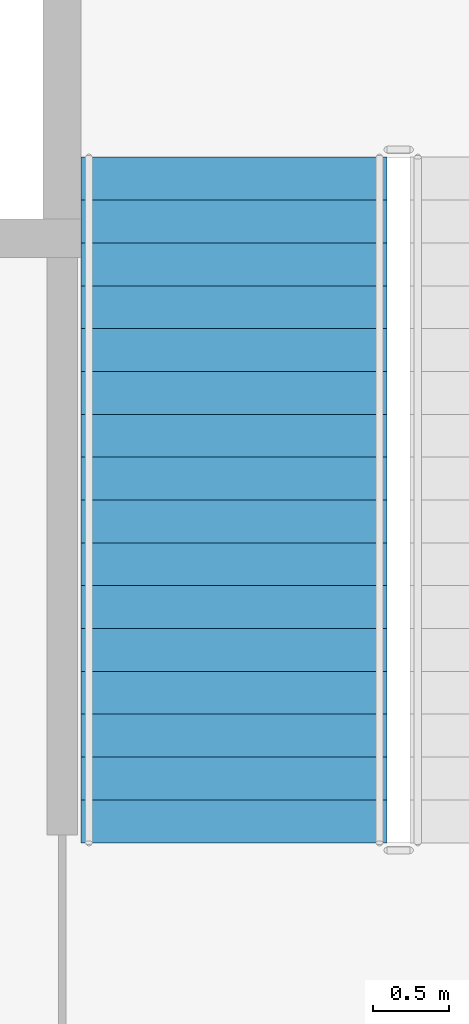
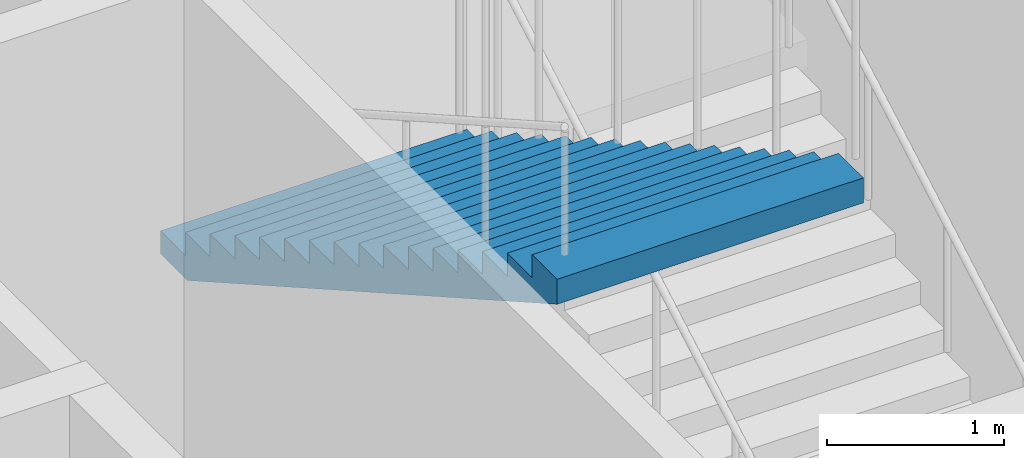
# One storey, part 14 of 27: 1 stair flight, 1 element without a shape of its own.
"""IFC4 building model written with IfcOpenShell, lengths in metres."""

import ifcopenshell
import ifcopenshell.guid

model = None  # the IFC model being written
_history = None  # IfcOwnerHistory: only IFC2X3 demands one
_inside = {}  # id of a spatial element -> (the spatial element, [elements in it])
_under = {}  # id of a project, library or spatial element -> (it, [spatial elements below it])
_declared = {}  # id of a project -> (the project, [libraries it declares])
_typed = {}  # id of a type object -> (the type object, [elements of that type])
_made_of = {}  # id of a material, layer set ... -> (it, [elements and type objects made of it])


def new_model(schema):
    """Start an empty IFC model of exactly this schema.

    Asked for "IFC4X3", IfcOpenShell would pick the latest addendum, in which some entities
    have other attributes; the version numbers below select the first issue.
    IFC2X3 requires an IfcOwnerHistory on every rooted entity: one is made here for all.
    """
    global model, _history
    if schema == "IFC4X3":
        model = ifcopenshell.file(schema_version=(4, 3, 0, 0))
    else:
        model = ifcopenshell.file(schema=schema)
    _inside.clear()
    _under.clear()
    _declared.clear()
    _typed.clear()
    _made_of.clear()
    _history = None
    if model.schema == "IFC2X3":
        org = make("IfcOrganization", Name="unknown")
        user = make(
            "IfcPersonAndOrganization",
            ThePerson=make("IfcPerson", FamilyName="unknown"),
            TheOrganization=org,
        )
        app = make(
            "IfcApplication",
            ApplicationDeveloper=org,
            Version="unknown",
            ApplicationFullName="unknown",
            ApplicationIdentifier="unknown",
        )
        _history = make(
            "IfcOwnerHistory",
            OwningUser=user,
            OwningApplication=app,
            ChangeAction="ADDED",
            CreationDate=0,
        )
    return model


def make(cls, **values):
    """One entity of the class cls with the attributes given. An attribute that is None is left unset."""
    return model.create_entity(
        cls, **{name: value for name, value in values.items() if value is not None}
    )


def rooted(cls, **values):
    """An entity with a GlobalId (a new one), such as an element, a storey or a relation."""
    return make(cls, GlobalId=ifcopenshell.guid.new(), OwnerHistory=_history, **values)


def si_unit(unit_type, name, prefix=None):
    """IfcSIUnit, for example si_unit("LENGTHUNIT", "METRE", prefix="MILLI")."""
    return make("IfcSIUnit", UnitType=unit_type, Prefix=prefix, Name=name)


def assignment(units):
    """IfcUnitAssignment: the units of a project."""
    return None if units is None else make("IfcUnitAssignment", Units=units)


def point(xyz):
    """IfcCartesianPoint."""
    return None if xyz is None else make("IfcCartesianPoint", Coordinates=xyz)


def direction(xyz):
    """IfcDirection."""
    return None if xyz is None else make("IfcDirection", DirectionRatios=xyz)


def frame(location, z_axis=None, x_axis=None):
    """IfcAxis2Placement3D, a coordinate frame: its origin and axes. An axis left out is left unset."""
    return make(
        "IfcAxis2Placement3D",
        Location=point(location),
        Axis=direction(z_axis),
        RefDirection=direction(x_axis),
    )


def origin():
    """The frame at (0, 0, 0) with its axes left unset."""
    return frame((0.0, 0.0, 0.0))


def place(relative_to, where):
    """IfcLocalPlacement: puts the frame where relative to a parent placement (None: the world)."""
    return make(
        "IfcLocalPlacement", PlacementRelTo=relative_to, RelativePlacement=where
    )


def context(
    kind, dimensions, precision=None, world=None, true_north=None, identifier=None
):
    """IfcGeometricRepresentationContext, for example the 3D "Model" context."""
    return make(
        "IfcGeometricRepresentationContext",
        ContextIdentifier=identifier,
        ContextType=kind,
        CoordinateSpaceDimension=dimensions,
        Precision=precision,
        WorldCoordinateSystem=world,
        TrueNorth=true_north,
    )


def subcontext(parent, identifier, kind, view, scale=None):
    """IfcGeometricRepresentationSubContext, for example "Body" below "Model"."""
    return make(
        "IfcGeometricRepresentationSubContext",
        ContextIdentifier=identifier,
        ContextType=kind,
        ParentContext=parent,
        TargetScale=scale,
        TargetView=view,
    )


def project(units=None, contexts=None):
    """IfcProject with its units and contexts."""
    return rooted(
        "IfcProject",
        Name="project",
        RepresentationContexts=contexts,
        UnitsInContext=assignment(units),
    )


def spatial(cls, under=None, at=None, **own):
    """A site, building, storey or space (cls), placed at a placement, below another one or the project."""
    s = rooted(cls, ObjectPlacement=at, **own)
    if under is not None:
        _under.setdefault(under.id(), (under, []))[1].append(s)
    return s


def point_list(points):
    """IfcCartesianPointList2D or 3D."""
    cls = (
        "IfcCartesianPointList2D" if len(points[0]) == 2 else "IfcCartesianPointList3D"
    )
    return make(cls, CoordList=points)


def polygons(points, faces, closed=None, point_numbers=None):
    """IfcPolygonalFaceSet: a face is its outer loop, then its inner loops; points numbered from 1."""
    made = []
    for loops in faces:
        if len(loops) == 1:
            made.append(make("IfcIndexedPolygonalFace", CoordIndex=loops[0]))
        else:
            made.append(
                make(
                    "IfcIndexedPolygonalFaceWithVoids",
                    CoordIndex=loops[0],
                    InnerCoordIndices=loops[1:],
                )
            )
    return make(
        "IfcPolygonalFaceSet",
        Coordinates=point_list(points),
        Closed=closed,
        Faces=made,
        PnIndex=point_numbers,
    )


def shape(context_of_items, identifier, shape_type, items):
    """IfcShapeRepresentation: the items that make up one representation, for example the "Body"."""
    return make(
        "IfcShapeRepresentation",
        ContextOfItems=context_of_items,
        RepresentationIdentifier=identifier,
        RepresentationType=shape_type,
        Items=items,
    )


def material(Name=None, Category=None):
    """IfcMaterial."""
    return make("IfcMaterial", Name=Name, Category=Category)


def made_of(thing, what):
    """Note that an element or type object is made of a material, layer set ...; save() writes the relation."""
    if what is not None:
        _made_of.setdefault(what.id(), (what, []))[1].append(thing)
    return thing


def type_object(cls, material=None, **own):
    """A type object (cls), such as IfcWallType, which elements share."""
    return made_of(rooted(cls, **own), material)


def element(
    cls,
    number,
    at=None,
    inside=None,
    cuts=None,
    type_object=None,
    material=None,
    context=None,
    identifier="Body",
    shape_type=None,
    held_by="IfcProductDefinitionShape",
    body=None,
    shapes=None,
    **own,
):
    """One element of the class cls, such as IfcWall. Its Tag is "e" and its number.

    at: its placement. inside: the storey or other place that contains it. cuts: it is an
    opening in that element (IfcRelVoidsElement). A single representation is given by context,
    identifier, shape_type and body (its items); several are given by shapes. held_by: the class
    of the entity that holds the representations. save() writes the other relations.
    """
    e = rooted(cls, Tag="e%d" % number, ObjectPlacement=at, **own)
    if body is not None:
        shapes = [shape(context, identifier, shape_type, body)]
    if shapes is not None:
        e.Representation = make(held_by, Representations=shapes)
    if inside is not None:
        _inside.setdefault(inside.id(), (inside, []))[1].append(e)
    if cuts is not None:
        rooted(
            "IfcRelVoidsElement", RelatingBuildingElement=cuts, RelatedOpeningElement=e
        )
    if type_object is not None:
        _typed.setdefault(type_object.id(), (type_object, []))[1].append(e)
    return made_of(e, material)


def aggregate(whole, parts):
    """IfcRelAggregates: a whole, such as a stair, and the parts it consists of."""
    return rooted("IfcRelAggregates", RelatingObject=whole, RelatedObjects=parts)


def save(model, path):
    """Write the relations noted so far, then the file.

    IfcRelAggregates (storeys below a building ...), IfcRelContainedInSpatialStructure (elements
    in a storey), IfcRelDefinesByType, IfcRelAssociatesMaterial and IfcRelDeclares: one each for
    every whole, place, type object, material and project.
    """
    for whole, parts in _under.values():
        aggregate(whole, parts)
    for where, things in _inside.values():
        rooted(
            "IfcRelContainedInSpatialStructure",
            RelatedElements=things,
            RelatingStructure=where,
        )
    for kind, things in _typed.values():
        rooted("IfcRelDefinesByType", RelatedObjects=things, RelatingType=kind)
    for what, things in _made_of.values():
        rooted("IfcRelAssociatesMaterial", RelatedObjects=things, RelatingMaterial=what)
    for by, libraries in _declared.values():
        rooted("IfcRelDeclares", RelatingContext=by, RelatedDefinitions=libraries)
    model.write(path)


model = new_model("IFC4")

# Units and contexts
model_context = context("Model", 3, precision=1e-05, world=origin(), true_north=direction((0.0, 1.0)))
body_context = subcontext(model_context, "Body", "Model", "MODEL_VIEW")
ifc_project = project(units=[si_unit("LENGTHUNIT", "METRE"), si_unit("AREAUNIT", "SQUARE_METRE"), si_unit("VOLUMEUNIT", "CUBIC_METRE"), si_unit("PLANEANGLEUNIT", "RADIAN"), si_unit("MASSUNIT", "GRAM", prefix="KILO")], contexts=[model_context])

# Site, building, storey
site_placement = place(None, origin())
site = spatial("IfcSite", under=ifc_project, at=site_placement, CompositionType="ELEMENT")
building_placement = place(site_placement, origin())
building = spatial("IfcBuilding", under=site, at=building_placement, Name="Caravel Reach Hotel and Residences", CompositionType="ELEMENT")
storey_placement = place(building_placement, frame((0.0, 0.0, 6.60009765625)))
storey = spatial("IfcBuildingStorey", under=building, at=storey_placement, Name="L01", CompositionType="ELEMENT", Elevation=6.60009765625)

# Stair, stair flight
ifc_material_1 = material(Name="Concrete C40", Category="concrete")
stair_type = type_object("IfcStairType", Name="Core stair", PredefinedType="HALF_TURN_STAIR", material=ifc_material_1)
stair_placement = place(storey_placement, origin())
stair = element("IfcStair", 1, at=stair_placement, inside=storey, type_object=stair_type, Name="L01 Exit stair B", PredefinedType="HALF_TURN_STAIR")
ifc_material_2 = material(Name="Concrete C40", Category="concrete")
stair_flight_type = type_object("IfcStairFlightType", Name="Core stair flight", PredefinedType="STRAIGHT", material=ifc_material_2)
stair_flight_placement = place(storey_placement, frame((41.625, 29.1298828125, 2.699951171875), z_axis=(0.0, 0.0, 1.0), x_axis=(0.0, -1.0, 0.0)))
stair_flight = element("IfcStairFlight", 2, at=stair_flight_placement, type_object=stair_flight_type, Name="ST-B flight 2", NumberOfRisers=17, NumberOfTreads=16, PredefinedType="STRAIGHT", RiserHeight=0.158823529, TreadLength=0.28, context=body_context, shape_type="Tessellation", body=[
    polygons([(0.30382651472380307, 1.0, 0.0), (0.30382651472380307, 0.6666666666666667, 0.0), (0.30382651472380307, 0.33333333333333337, 0.0), (0.30382651472380307, 0.0, 0.0), (0.30382651472380307, -0.33333333333333326, 0.0), (0.30382651472380307, -0.6666666666666667, 0.0), (0.30382651472380307, -1.0, 0.0), (4.481000000000001, 1.0, 2.3688378951706968), (4.481000000000001, 0.6666666666666667, 2.3688378951706968), (4.481000000000001, 0.33333333333333337, 2.3688378951706968), (4.481000000000001, 0.0, 2.3688378951706968), (4.481000000000001, -0.33333333333333326, 2.3688378951706968), (4.481000000000001, -0.6666666666666667, 2.3688378951706968), (4.481000000000001, -1.0, 2.3688378951706968), (4.481000000000001, 1.0, 2.541176464), (4.481000000000001, 0.6666666666666667, 2.541176464), (4.481000000000001, 0.33333333333333337, 2.541176464), (4.481000000000001, 0.0, 2.541176464), (4.481000000000001, -0.33333333333333326, 2.541176464), (4.481000000000001, -0.6666666666666667, 2.541176464), (4.481000000000001, -1.0, 2.541176464), (4.2, 1.0, 2.541176464), (4.2, 0.6666666666666667, 2.541176464), (4.2, 0.33333333333333337, 2.541176464), (4.2, 0.0, 2.541176464), (4.2, -0.33333333333333326, 2.541176464), (4.2, -0.6666666666666667, 2.541176464), (4.2, -1.0, 2.541176464), (4.2, 1.0, 2.3823529349999997), (4.2, 0.6666666666666667, 2.3823529349999997), (4.2, 0.33333333333333337, 2.3823529349999997), (4.2, 0.0, 2.3823529349999997), (4.2, -0.33333333333333326, 2.3823529349999997), (4.2, -0.6666666666666667, 2.3823529349999997), (4.2, -1.0, 2.3823529349999997), (3.9200000000000004, 1.0, 2.3823529349999997), (3.9200000000000004, 0.6666666666666667, 2.3823529349999997), (3.9200000000000004, 0.33333333333333337, 2.3823529349999997), (3.9200000000000004, 0.0, 2.3823529349999997), (3.9200000000000004, -0.33333333333333326, 2.3823529349999997), (3.9200000000000004, -0.6666666666666667, 2.3823529349999997), (3.9200000000000004, -1.0, 2.3823529349999997), (3.9200000000000004, 1.0, 2.223529406), (3.9200000000000004, 0.6666666666666667, 2.223529406), (3.9200000000000004, 0.33333333333333337, 2.223529406), (3.9200000000000004, 0.0, 2.223529406), (3.9200000000000004, -0.33333333333333326, 2.223529406), (3.9200000000000004, -0.6666666666666667, 2.223529406), (3.9200000000000004, -1.0, 2.223529406), (3.6400000000000006, 1.0, 2.223529406), (3.6400000000000006, 0.6666666666666667, 2.223529406), (3.6400000000000006, 0.33333333333333337, 2.223529406), (3.6400000000000006, 0.0, 2.223529406), (3.6400000000000006, -0.33333333333333326, 2.223529406), (3.6400000000000006, -0.6666666666666667, 2.223529406), (3.6400000000000006, -1.0, 2.223529406), (3.6400000000000006, 1.0, 2.0647058769999997), (3.6400000000000006, 0.6666666666666667, 2.0647058769999997), (3.6400000000000006, 0.33333333333333337, 2.0647058769999997), (3.6400000000000006, 0.0, 2.0647058769999997), (3.6400000000000006, -0.33333333333333326, 2.0647058769999997), (3.6400000000000006, -0.6666666666666667, 2.0647058769999997), (3.6400000000000006, -1.0, 2.0647058769999997), (3.3600000000000003, 1.0, 2.0647058769999997), (3.3600000000000003, 0.6666666666666667, 2.0647058769999997), (3.3600000000000003, 0.33333333333333337, 2.0647058769999997), (3.3600000000000003, 0.0, 2.0647058769999997), (3.3600000000000003, -0.33333333333333326, 2.0647058769999997), (3.3600000000000003, -0.6666666666666667, 2.0647058769999997), (3.3600000000000003, -1.0, 2.0647058769999997), (3.3600000000000003, 1.0, 1.905882348), (3.3600000000000003, 0.6666666666666667, 1.905882348), (3.3600000000000003, 0.33333333333333337, 1.905882348), (3.3600000000000003, 0.0, 1.905882348), (3.3600000000000003, -0.33333333333333326, 1.905882348), (3.3600000000000003, -0.6666666666666667, 1.905882348), (3.3600000000000003, -1.0, 1.905882348), (3.08, 1.0, 1.905882348), (3.08, 0.6666666666666667, 1.905882348), (3.08, 0.33333333333333337, 1.905882348), (3.08, 0.0, 1.905882348), (3.08, -0.33333333333333326, 1.905882348), (3.08, -0.6666666666666667, 1.905882348), (3.08, -1.0, 1.905882348), (3.08, 1.0, 1.7470588189999998), (3.08, 0.6666666666666667, 1.7470588189999998), (3.08, 0.33333333333333337, 1.7470588189999998), (3.08, 0.0, 1.7470588189999998), (3.08, -0.33333333333333326, 1.7470588189999998), (3.08, -0.6666666666666667, 1.7470588189999998), (3.08, -1.0, 1.7470588189999998), (2.8000000000000003, 1.0, 1.7470588189999998), (2.8000000000000003, 0.6666666666666667, 1.7470588189999998), (2.8000000000000003, 0.33333333333333337, 1.7470588189999998), (2.8000000000000003, 0.0, 1.7470588189999998), (2.8000000000000003, -0.33333333333333326, 1.7470588189999998), (2.8000000000000003, -0.6666666666666667, 1.7470588189999998), (2.8000000000000003, -1.0, 1.7470588189999998), (2.8000000000000003, 1.0, 1.5882352899999999), (2.8000000000000003, 0.6666666666666667, 1.5882352899999999), (2.8000000000000003, 0.33333333333333337, 1.5882352899999999), (2.8000000000000003, 0.0, 1.5882352899999999), (2.8000000000000003, -0.33333333333333326, 1.5882352899999999), (2.8000000000000003, -0.6666666666666667, 1.5882352899999999), (2.8000000000000003, -1.0, 1.5882352899999999), (2.5200000000000005, 1.0, 1.5882352899999999), (2.5200000000000005, 0.6666666666666667, 1.5882352899999999), (2.5200000000000005, 0.33333333333333337, 1.5882352899999999), (2.5200000000000005, 0.0, 1.5882352899999999), (2.5200000000000005, -0.33333333333333326, 1.5882352899999999), (2.5200000000000005, -0.6666666666666667, 1.5882352899999999), (2.5200000000000005, -1.0, 1.5882352899999999), (2.5200000000000005, 1.0, 1.429411761), (2.5200000000000005, 0.6666666666666667, 1.429411761), (2.5200000000000005, 0.33333333333333337, 1.429411761), (2.5200000000000005, 0.0, 1.429411761), (2.5200000000000005, -0.33333333333333326, 1.429411761), (2.5200000000000005, -0.6666666666666667, 1.429411761), (2.5200000000000005, -1.0, 1.429411761), (2.24, 1.0, 1.429411761), (2.24, 0.6666666666666667, 1.429411761), (2.24, 0.33333333333333337, 1.429411761), (2.24, 0.0, 1.429411761), (2.24, -0.33333333333333326, 1.429411761), (2.24, -0.6666666666666667, 1.429411761), (2.24, -1.0, 1.429411761), (2.24, 1.0, 1.270588232), (2.24, 0.6666666666666667, 1.270588232), (2.24, 0.33333333333333337, 1.270588232), (2.24, 0.0, 1.270588232), (2.24, -0.33333333333333326, 1.270588232), (2.24, -0.6666666666666667, 1.270588232), (2.24, -1.0, 1.270588232), (1.9600000000000002, 1.0, 1.270588232), (1.9600000000000002, 0.6666666666666667, 1.270588232), (1.9600000000000002, 0.33333333333333337, 1.270588232), (1.9600000000000002, 0.0, 1.270588232), (1.9600000000000002, -0.33333333333333326, 1.270588232), (1.9600000000000002, -0.6666666666666667, 1.270588232), (1.9600000000000002, -1.0, 1.270588232), (1.9600000000000002, 1.0, 1.111764703), (1.9600000000000002, 0.6666666666666667, 1.111764703), (1.9600000000000002, 0.33333333333333337, 1.111764703), (1.9600000000000002, 0.0, 1.111764703), (1.9600000000000002, -0.33333333333333326, 1.111764703), (1.9600000000000002, -0.6666666666666667, 1.111764703), (1.9600000000000002, -1.0, 1.111764703), (1.6800000000000002, 1.0, 1.111764703), (1.6800000000000002, 0.6666666666666667, 1.111764703), (1.6800000000000002, 0.33333333333333337, 1.111764703), (1.6800000000000002, 0.0, 1.111764703), (1.6800000000000002, -0.33333333333333326, 1.111764703), (1.6800000000000002, -0.6666666666666667, 1.111764703), (1.6800000000000002, -1.0, 1.111764703), (1.6800000000000002, 1.0, 0.952941174), (1.6800000000000002, 0.6666666666666667, 0.952941174), (1.6800000000000002, 0.33333333333333337, 0.952941174), (1.6800000000000002, 0.0, 0.952941174), (1.6800000000000002, -0.33333333333333326, 0.952941174), (1.6800000000000002, -0.6666666666666667, 0.952941174), (1.6800000000000002, -1.0, 0.952941174), (1.4000000000000001, 1.0, 0.952941174), (1.4000000000000001, 0.6666666666666667, 0.952941174), (1.4000000000000001, 0.33333333333333337, 0.952941174), (1.4000000000000001, 0.0, 0.952941174), (1.4000000000000001, -0.33333333333333326, 0.952941174), (1.4000000000000001, -0.6666666666666667, 0.952941174), (1.4000000000000001, -1.0, 0.952941174), (1.4000000000000001, 1.0, 0.7941176449999999), (1.4000000000000001, 0.6666666666666667, 0.7941176449999999), (1.4000000000000001, 0.33333333333333337, 0.7941176449999999), (1.4000000000000001, 0.0, 0.7941176449999999), (1.4000000000000001, -0.33333333333333326, 0.7941176449999999), (1.4000000000000001, -0.6666666666666667, 0.7941176449999999), (1.4000000000000001, -1.0, 0.7941176449999999), (1.12, 1.0, 0.7941176449999999), (1.12, 0.6666666666666667, 0.7941176449999999), (1.12, 0.33333333333333337, 0.7941176449999999), (1.12, 0.0, 0.7941176449999999), (1.12, -0.33333333333333326, 0.7941176449999999), (1.12, -0.6666666666666667, 0.7941176449999999), (1.12, -1.0, 0.7941176449999999), (1.12, 1.0, 0.635294116), (1.12, 0.6666666666666667, 0.635294116), (1.12, 0.33333333333333337, 0.635294116), (1.12, 0.0, 0.635294116), (1.12, -0.33333333333333326, 0.635294116), (1.12, -0.6666666666666667, 0.635294116), (1.12, -1.0, 0.635294116), (0.8400000000000001, 1.0, 0.635294116), (0.8400000000000001, 0.6666666666666667, 0.635294116), (0.8400000000000001, 0.33333333333333337, 0.635294116), (0.8400000000000001, 0.0, 0.635294116), (0.8400000000000001, -0.33333333333333326, 0.635294116), (0.8400000000000001, -0.6666666666666667, 0.635294116), (0.8400000000000001, -1.0, 0.635294116), (0.8400000000000001, 1.0, 0.476470587), (0.8400000000000001, 0.6666666666666667, 0.476470587), (0.8400000000000001, 0.33333333333333337, 0.476470587), (0.8400000000000001, 0.0, 0.476470587), (0.8400000000000001, -0.33333333333333326, 0.476470587), (0.8400000000000001, -0.6666666666666667, 0.476470587), (0.8400000000000001, -1.0, 0.476470587), (0.56, 1.0, 0.476470587), (0.56, 0.6666666666666667, 0.476470587), (0.56, 0.33333333333333337, 0.476470587), (0.56, 0.0, 0.476470587), (0.56, -0.33333333333333326, 0.476470587), (0.56, -0.6666666666666667, 0.476470587), (0.56, -1.0, 0.476470587), (0.56, 1.0, 0.317647058), (0.56, 0.6666666666666667, 0.317647058), (0.56, 0.33333333333333337, 0.317647058), (0.56, 0.0, 0.317647058), (0.56, -0.33333333333333326, 0.317647058), (0.56, -0.6666666666666667, 0.317647058), (0.56, -1.0, 0.317647058), (0.28, 1.0, 0.317647058), (0.28, 0.6666666666666667, 0.317647058), (0.28, 0.33333333333333337, 0.317647058), (0.28, 0.0, 0.317647058), (0.28, -0.33333333333333326, 0.317647058), (0.28, -0.6666666666666667, 0.317647058), (0.28, -1.0, 0.317647058), (0.28, 1.0, 0.158823529), (0.28, 0.6666666666666667, 0.158823529), (0.28, 0.33333333333333337, 0.158823529), (0.28, 0.0, 0.158823529), (0.28, -0.33333333333333326, 0.158823529), (0.28, -0.6666666666666667, 0.158823529), (0.28, -1.0, 0.158823529), (-0.001, 1.0, 0.158823529), (-0.001, 0.6666666666666667, 0.158823529), (-0.001, 0.33333333333333337, 0.158823529), (-0.001, 0.0, 0.158823529), (-0.001, -0.33333333333333326, 0.158823529), (-0.001, -0.6666666666666667, 0.158823529), (-0.001, -1.0, 0.158823529), (-0.001, 1.0, 0.0), (-0.001, 0.6666666666666667, 0.0), (-0.001, 0.33333333333333337, 0.0), (-0.001, 0.0, 0.0), (-0.001, -0.33333333333333326, 0.0), (-0.001, -0.6666666666666667, 0.0), (-0.001, -1.0, 0.0)], [[[239, 232, 225, 218, 211, 204, 197, 190, 183, 176, 169, 162, 155, 148, 141, 134, 127, 120, 113, 106, 99, 92, 85, 78, 71, 64, 57, 50, 43, 36, 29, 22, 15, 8, 1]], [[7, 14, 21, 28, 35, 42, 49, 56, 63, 70, 77, 84, 91, 98, 105, 112, 119, 126, 133, 140, 147, 154, 161, 168, 175, 182, 189, 196, 203, 210, 217, 224, 231, 238, 245]], [[1, 8, 9, 2]], [[2, 9, 10, 3]], [[3, 10, 11, 4]], [[4, 11, 12, 5]], [[5, 12, 13, 6]], [[6, 13, 14, 7]], [[8, 15, 16, 9]], [[9, 16, 17, 10]], [[10, 17, 18, 11]], [[11, 18, 19, 12]], [[12, 19, 20, 13]], [[13, 20, 21, 14]], [[15, 22, 23, 16]], [[16, 23, 24, 17]], [[17, 24, 25, 18]], [[18, 25, 26, 19]], [[19, 26, 27, 20]], [[20, 27, 28, 21]], [[22, 29, 30, 23]], [[23, 30, 31, 24]], [[24, 31, 32, 25]], [[25, 32, 33, 26]], [[26, 33, 34, 27]], [[27, 34, 35, 28]], [[29, 36, 37, 30]], [[30, 37, 38, 31]], [[31, 38, 39, 32]], [[32, 39, 40, 33]], [[33, 40, 41, 34]], [[34, 41, 42, 35]], [[36, 43, 44, 37]], [[37, 44, 45, 38]], [[38, 45, 46, 39]], [[39, 46, 47, 40]], [[40, 47, 48, 41]], [[41, 48, 49, 42]], [[43, 50, 51, 44]], [[44, 51, 52, 45]], [[45, 52, 53, 46]], [[46, 53, 54, 47]], [[47, 54, 55, 48]], [[48, 55, 56, 49]], [[50, 57, 58, 51]], [[51, 58, 59, 52]], [[52, 59, 60, 53]], [[53, 60, 61, 54]], [[54, 61, 62, 55]], [[55, 62, 63, 56]], [[57, 64, 65, 58]], [[58, 65, 66, 59]], [[59, 66, 67, 60]], [[60, 67, 68, 61]], [[61, 68, 69, 62]], [[62, 69, 70, 63]], [[64, 71, 72, 65]], [[65, 72, 73, 66]], [[66, 73, 74, 67]], [[67, 74, 75, 68]], [[68, 75, 76, 69]], [[69, 76, 77, 70]], [[71, 78, 79, 72]], [[72, 79, 80, 73]], [[73, 80, 81, 74]], [[74, 81, 82, 75]], [[75, 82, 83, 76]], [[76, 83, 84, 77]], [[78, 85, 86, 79]], [[79, 86, 87, 80]], [[80, 87, 88, 81]], [[81, 88, 89, 82]], [[82, 89, 90, 83]], [[83, 90, 91, 84]], [[85, 92, 93, 86]], [[86, 93, 94, 87]], [[87, 94, 95, 88]], [[88, 95, 96, 89]], [[89, 96, 97, 90]], [[90, 97, 98, 91]], [[92, 99, 100, 93]], [[93, 100, 101, 94]], [[94, 101, 102, 95]], [[95, 102, 103, 96]], [[96, 103, 104, 97]], [[97, 104, 105, 98]], [[99, 106, 107, 100]], [[100, 107, 108, 101]], [[101, 108, 109, 102]], [[102, 109, 110, 103]], [[103, 110, 111, 104]], [[104, 111, 112, 105]], [[106, 113, 114, 107]], [[107, 114, 115, 108]], [[108, 115, 116, 109]], [[109, 116, 117, 110]], [[110, 117, 118, 111]], [[111, 118, 119, 112]], [[113, 120, 121, 114]], [[114, 121, 122, 115]], [[115, 122, 123, 116]], [[116, 123, 124, 117]], [[117, 124, 125, 118]], [[118, 125, 126, 119]], [[120, 127, 128, 121]], [[121, 128, 129, 122]], [[122, 129, 130, 123]], [[123, 130, 131, 124]], [[124, 131, 132, 125]], [[125, 132, 133, 126]], [[127, 134, 135, 128]], [[128, 135, 136, 129]], [[129, 136, 137, 130]], [[130, 137, 138, 131]], [[131, 138, 139, 132]], [[132, 139, 140, 133]], [[134, 141, 142, 135]], [[135, 142, 143, 136]], [[136, 143, 144, 137]], [[137, 144, 145, 138]], [[138, 145, 146, 139]], [[139, 146, 147, 140]], [[141, 148, 149, 142]], [[142, 149, 150, 143]], [[143, 150, 151, 144]], [[144, 151, 152, 145]], [[145, 152, 153, 146]], [[146, 153, 154, 147]], [[148, 155, 156, 149]], [[149, 156, 157, 150]], [[150, 157, 158, 151]], [[151, 158, 159, 152]], [[152, 159, 160, 153]], [[153, 160, 161, 154]], [[155, 162, 163, 156]], [[156, 163, 164, 157]], [[157, 164, 165, 158]], [[158, 165, 166, 159]], [[159, 166, 167, 160]], [[160, 167, 168, 161]], [[162, 169, 170, 163]], [[163, 170, 171, 164]], [[164, 171, 172, 165]], [[165, 172, 173, 166]], [[166, 173, 174, 167]], [[167, 174, 175, 168]], [[169, 176, 177, 170]], [[170, 177, 178, 171]], [[171, 178, 179, 172]], [[172, 179, 180, 173]], [[173, 180, 181, 174]], [[174, 181, 182, 175]], [[176, 183, 184, 177]], [[177, 184, 185, 178]], [[178, 185, 186, 179]], [[179, 186, 187, 180]], [[180, 187, 188, 181]], [[181, 188, 189, 182]], [[183, 190, 191, 184]], [[184, 191, 192, 185]], [[185, 192, 193, 186]], [[186, 193, 194, 187]], [[187, 194, 195, 188]], [[188, 195, 196, 189]], [[190, 197, 198, 191]], [[191, 198, 199, 192]], [[192, 199, 200, 193]], [[193, 200, 201, 194]], [[194, 201, 202, 195]], [[195, 202, 203, 196]], [[197, 204, 205, 198]], [[198, 205, 206, 199]], [[199, 206, 207, 200]], [[200, 207, 208, 201]], [[201, 208, 209, 202]], [[202, 209, 210, 203]], [[204, 211, 212, 205]], [[205, 212, 213, 206]], [[206, 213, 214, 207]], [[207, 214, 215, 208]], [[208, 215, 216, 209]], [[209, 216, 217, 210]], [[211, 218, 219, 212]], [[212, 219, 220, 213]], [[213, 220, 221, 214]], [[214, 221, 222, 215]], [[215, 222, 223, 216]], [[216, 223, 224, 217]], [[218, 225, 226, 219]], [[219, 226, 227, 220]], [[220, 227, 228, 221]], [[221, 228, 229, 222]], [[222, 229, 230, 223]], [[223, 230, 231, 224]], [[225, 232, 233, 226]], [[226, 233, 234, 227]], [[227, 234, 235, 228]], [[228, 235, 236, 229]], [[229, 236, 237, 230]], [[230, 237, 238, 231]], [[232, 239, 240, 233]], [[233, 240, 241, 234]], [[234, 241, 242, 235]], [[235, 242, 243, 236]], [[236, 243, 244, 237]], [[237, 244, 245, 238]], [[239, 1, 2, 240]], [[240, 2, 3, 241]], [[241, 3, 4, 242]], [[242, 4, 5, 243]], [[243, 5, 6, 244]], [[244, 6, 7, 245]]], closed=True),
])
aggregate(stair, [stair_flight])

save(model, "model.ifc")
